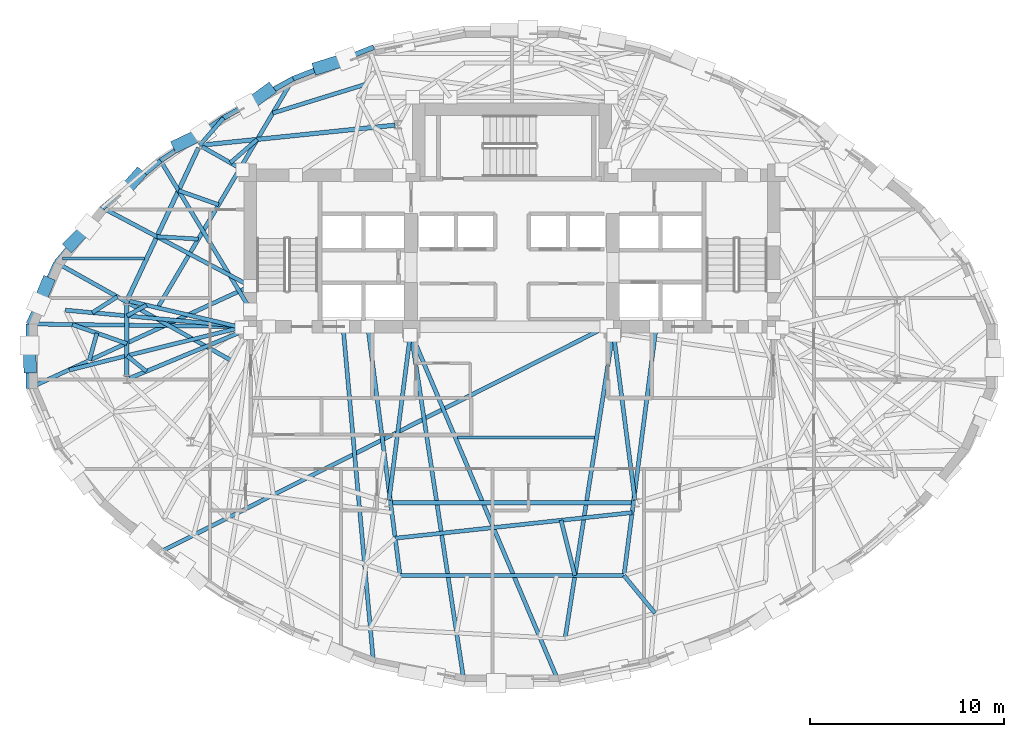
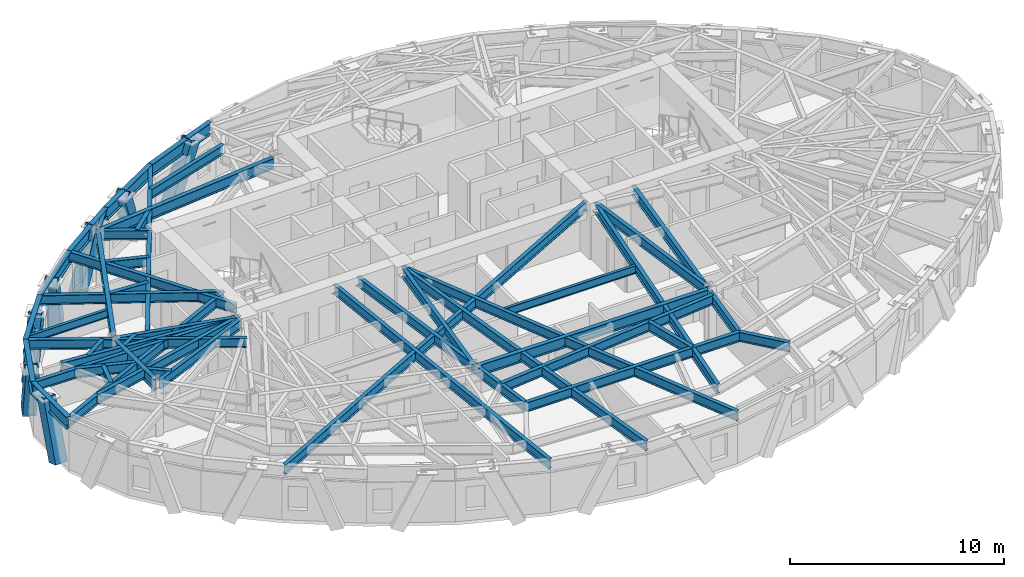
# One storey, part 2 of 14: 47 beams, 7 members.
"""IFC4 building model written with IfcOpenShell, lengths in metres."""

import ifcopenshell
import ifcopenshell.guid

model = None  # the IFC model being written
_history = None  # IfcOwnerHistory: only IFC2X3 demands one
_inside = {}  # id of a spatial element -> (the spatial element, [elements in it])
_under = {}  # id of a project, library or spatial element -> (it, [spatial elements below it])
_declared = {}  # id of a project -> (the project, [libraries it declares])
_typed = {}  # id of a type object -> (the type object, [elements of that type])
_made_of = {}  # id of a material, layer set ... -> (it, [elements and type objects made of it])


def new_model(schema):
    """Start an empty IFC model of exactly this schema.

    Asked for "IFC4X3", IfcOpenShell would pick the latest addendum, in which some entities
    have other attributes; the version numbers below select the first issue.
    IFC2X3 requires an IfcOwnerHistory on every rooted entity: one is made here for all.
    """
    global model, _history
    if schema == "IFC4X3":
        model = ifcopenshell.file(schema_version=(4, 3, 0, 0))
    else:
        model = ifcopenshell.file(schema=schema)
    _inside.clear()
    _under.clear()
    _declared.clear()
    _typed.clear()
    _made_of.clear()
    _history = None
    if model.schema == "IFC2X3":
        org = make("IfcOrganization", Name="unknown")
        user = make(
            "IfcPersonAndOrganization",
            ThePerson=make("IfcPerson", FamilyName="unknown"),
            TheOrganization=org,
        )
        app = make(
            "IfcApplication",
            ApplicationDeveloper=org,
            Version="unknown",
            ApplicationFullName="unknown",
            ApplicationIdentifier="unknown",
        )
        _history = make(
            "IfcOwnerHistory",
            OwningUser=user,
            OwningApplication=app,
            ChangeAction="ADDED",
            CreationDate=0,
        )
    return model


def make(cls, **values):
    """One entity of the class cls with the attributes given. An attribute that is None is left unset."""
    return model.create_entity(
        cls, **{name: value for name, value in values.items() if value is not None}
    )


def rooted(cls, **values):
    """An entity with a GlobalId (a new one), such as an element, a storey or a relation."""
    return make(cls, GlobalId=ifcopenshell.guid.new(), OwnerHistory=_history, **values)


def si_unit(unit_type, name, prefix=None):
    """IfcSIUnit, for example si_unit("LENGTHUNIT", "METRE", prefix="MILLI")."""
    return make("IfcSIUnit", UnitType=unit_type, Prefix=prefix, Name=name)


def assignment(units):
    """IfcUnitAssignment: the units of a project."""
    return None if units is None else make("IfcUnitAssignment", Units=units)


def point(xyz):
    """IfcCartesianPoint."""
    return None if xyz is None else make("IfcCartesianPoint", Coordinates=xyz)


def direction(xyz):
    """IfcDirection."""
    return None if xyz is None else make("IfcDirection", DirectionRatios=xyz)


def frame(location, z_axis=None, x_axis=None):
    """IfcAxis2Placement3D, a coordinate frame: its origin and axes. An axis left out is left unset."""
    return make(
        "IfcAxis2Placement3D",
        Location=point(location),
        Axis=direction(z_axis),
        RefDirection=direction(x_axis),
    )


def frame_2d(location, x_axis=None):
    """IfcAxis2Placement2D, a coordinate frame in the plane: its origin and x axis."""
    return make(
        "IfcAxis2Placement2D", Location=point(location), RefDirection=direction(x_axis)
    )


def origin():
    """The frame at (0, 0, 0) with its axes left unset."""
    return frame((0.0, 0.0, 0.0))


def origin_2d():
    """The frame at (0, 0) in the plane with its x axis left unset."""
    return frame_2d((0.0, 0.0))


def place(relative_to, where):
    """IfcLocalPlacement: puts the frame where relative to a parent placement (None: the world)."""
    return make(
        "IfcLocalPlacement", PlacementRelTo=relative_to, RelativePlacement=where
    )


def context(
    kind, dimensions, precision=None, world=None, true_north=None, identifier=None
):
    """IfcGeometricRepresentationContext, for example the 3D "Model" context."""
    return make(
        "IfcGeometricRepresentationContext",
        ContextIdentifier=identifier,
        ContextType=kind,
        CoordinateSpaceDimension=dimensions,
        Precision=precision,
        WorldCoordinateSystem=world,
        TrueNorth=true_north,
    )


def subcontext(parent, identifier, kind, view, scale=None):
    """IfcGeometricRepresentationSubContext, for example "Body" below "Model"."""
    return make(
        "IfcGeometricRepresentationSubContext",
        ContextIdentifier=identifier,
        ContextType=kind,
        ParentContext=parent,
        TargetScale=scale,
        TargetView=view,
    )


def project(units=None, contexts=None):
    """IfcProject with its units and contexts."""
    return rooted(
        "IfcProject",
        Name="project",
        RepresentationContexts=contexts,
        UnitsInContext=assignment(units),
    )


def spatial(cls, under=None, at=None, **own):
    """A site, building, storey or space (cls), placed at a placement, below another one or the project."""
    s = rooted(cls, ObjectPlacement=at, **own)
    if under is not None:
        _under.setdefault(under.id(), (under, []))[1].append(s)
    return s


def profile(cls, at=None, kind="AREA", **sizes):
    """A parametric profile (cls). Its sizes go by their IFC names, for example OverallWidth=200.0."""
    return make(cls, ProfileType=kind, Position=at, **sizes)


def hollow_rectangle(**sizes):
    """IfcRectangleHollowProfileDef."""
    return profile("IfcRectangleHollowProfileDef", **sizes)


def i_section(**sizes):
    """IfcIShapeProfileDef."""
    return profile("IfcIShapeProfileDef", **sizes)


def extrude(swept, where, along, depth):
    """IfcExtrudedAreaSolid: the profile swept, set in the frame where, extruded along a direction by depth."""
    return make(
        "IfcExtrudedAreaSolid",
        SweptArea=swept,
        Position=where,
        ExtrudedDirection=direction(along),
        Depth=depth,
    )


def shape(context_of_items, identifier, shape_type, items):
    """IfcShapeRepresentation: the items that make up one representation, for example the "Body"."""
    return make(
        "IfcShapeRepresentation",
        ContextOfItems=context_of_items,
        RepresentationIdentifier=identifier,
        RepresentationType=shape_type,
        Items=items,
    )


def material(Name=None, Category=None):
    """IfcMaterial."""
    return make("IfcMaterial", Name=Name, Category=Category)


def material_profile(
    of_material, cross_section, Name=None, Category=None, Priority=None
):
    """IfcMaterialProfile: a cross section and its material."""
    return make(
        "IfcMaterialProfile",
        Name=Name,
        Material=of_material,
        Profile=cross_section,
        Priority=Priority,
        Category=Category,
    )


def profile_set(profiles, Name=None, composite=None):
    """IfcMaterialProfileSet."""
    return make(
        "IfcMaterialProfileSet",
        Name=Name,
        MaterialProfiles=profiles,
        CompositeProfile=composite,
    )


def made_of(thing, what):
    """Note that an element or type object is made of a material, layer set ...; save() writes the relation."""
    if what is not None:
        _made_of.setdefault(what.id(), (what, []))[1].append(thing)
    return thing


def type_object(cls, material=None, **own):
    """A type object (cls), such as IfcWallType, which elements share."""
    return made_of(rooted(cls, **own), material)


def element(
    cls,
    number,
    at=None,
    inside=None,
    cuts=None,
    type_object=None,
    material=None,
    context=None,
    identifier="Body",
    shape_type=None,
    held_by="IfcProductDefinitionShape",
    body=None,
    shapes=None,
    **own,
):
    """One element of the class cls, such as IfcWall. Its Tag is "e" and its number.

    at: its placement. inside: the storey or other place that contains it. cuts: it is an
    opening in that element (IfcRelVoidsElement). A single representation is given by context,
    identifier, shape_type and body (its items); several are given by shapes. held_by: the class
    of the entity that holds the representations. save() writes the other relations.
    """
    e = rooted(cls, Tag="e%d" % number, ObjectPlacement=at, **own)
    if body is not None:
        shapes = [shape(context, identifier, shape_type, body)]
    if shapes is not None:
        e.Representation = make(held_by, Representations=shapes)
    if inside is not None:
        _inside.setdefault(inside.id(), (inside, []))[1].append(e)
    if cuts is not None:
        rooted(
            "IfcRelVoidsElement", RelatingBuildingElement=cuts, RelatedOpeningElement=e
        )
    if type_object is not None:
        _typed.setdefault(type_object.id(), (type_object, []))[1].append(e)
    return made_of(e, material)


def aggregate(whole, parts):
    """IfcRelAggregates: a whole, such as a stair, and the parts it consists of."""
    return rooted("IfcRelAggregates", RelatingObject=whole, RelatedObjects=parts)


def save(model, path):
    """Write the relations noted so far, then the file.

    IfcRelAggregates (storeys below a building ...), IfcRelContainedInSpatialStructure (elements
    in a storey), IfcRelDefinesByType, IfcRelAssociatesMaterial and IfcRelDeclares: one each for
    every whole, place, type object, material and project.
    """
    for whole, parts in _under.values():
        aggregate(whole, parts)
    for where, things in _inside.values():
        rooted(
            "IfcRelContainedInSpatialStructure",
            RelatedElements=things,
            RelatingStructure=where,
        )
    for kind, things in _typed.values():
        rooted("IfcRelDefinesByType", RelatedObjects=things, RelatingType=kind)
    for what, things in _made_of.values():
        rooted("IfcRelAssociatesMaterial", RelatedObjects=things, RelatingMaterial=what)
    for by, libraries in _declared.values():
        rooted("IfcRelDeclares", RelatingContext=by, RelatedDefinitions=libraries)
    model.write(path)


model = new_model("IFC4")

# Units and contexts
model_context = context("Model", 3, precision=1e-05, world=origin(), true_north=direction((0.0, 1.0)))
body_context = subcontext(model_context, "Body", "Model", "MODEL_VIEW")
ifc_project = project(units=[si_unit("LENGTHUNIT", "METRE"), si_unit("AREAUNIT", "SQUARE_METRE"), si_unit("VOLUMEUNIT", "CUBIC_METRE"), si_unit("PLANEANGLEUNIT", "RADIAN"), si_unit("MASSUNIT", "GRAM", prefix="KILO")], contexts=[model_context])

# Site, building, storey
site_placement = place(None, origin())
site = spatial("IfcSite", under=ifc_project, at=site_placement, CompositionType="ELEMENT")
building_placement = place(site_placement, origin())
building = spatial("IfcBuilding", under=site, at=building_placement, Name="Keldmark Tower", CompositionType="ELEMENT")
storey_placement = place(building_placement, frame((0.0, 0.0, 179.0)))
storey = spatial("IfcBuildingStorey", under=building, at=storey_placement, Name="L49", CompositionType="ELEMENT", Elevation=179.0)

# Beams
ifc_material_1 = material(Name="Steel ASTM A992 Grade 50", Category="steel")
ifc_material_profile_1 = material_profile(ifc_material_1, i_section(OverallWidth=0.153076171875, OverallDepth=0.455078125, WebThickness=0.008056640625, FlangeThickness=0.01318359375, at=origin_2d()), Name="W18X40")
ifc_profile_set_1 = profile_set([ifc_material_profile_1], Name="Steel ASTM A992 Grade 50")
beam_type_1 = type_object("IfcBeamType", Name="Composite Floor Joist W18X40", PredefinedType="JOIST", material=ifc_profile_set_1)
beam_1_placement = place(storey_placement, frame((-2.818359375, -4.179931640625, 2.79248046875), z_axis=(1.0, 0.0, 0.0), x_axis=(0.0, 1.0, 0.0)))
element("IfcBeam", 1, at=beam_1_placement, inside=storey, type_object=beam_type_1, Name="L49 Composite Floor Joist J02", PredefinedType="JOIST", context=body_context, shape_type="SweptSolid", body=[
    extrude(i_section(OverallWidth=0.153076171875, OverallDepth=0.455078125, WebThickness=0.008056640625, FlangeThickness=0.01318359375, at=origin_2d()), origin(), (0.0, 0.0, 1.0), 7.0771484375),
])
beam_2_placement = place(storey_placement, frame((-23.135498046875, 5.0400390625, 2.79248046875), z_axis=(1.0, 0.0, 0.0), x_axis=(0.0, 1.0, 0.0)))
element("IfcBeam", 2, at=beam_2_placement, inside=storey, type_object=beam_type_1, Name="L49 Composite Floor Joist J04", PredefinedType="JOIST", context=body_context, shape_type="SweptSolid", body=[
    extrude(i_section(OverallWidth=0.153076171875, OverallDepth=0.455078125, WebThickness=0.008056640625, FlangeThickness=0.01318359375, at=origin_2d()), origin(), (0.0, 0.0, 1.0), 4.207763671875),
])

# Members
ifc_material_2 = material(Name="Steel ASTM A572 Grade 50", Category="steel")
ifc_material_profile_2 = material_profile(ifc_material_2, hollow_rectangle(XDim=0.64990234375, YDim=0.64990234375, WallThickness=0.0400390625, at=origin_2d()), Name="BOX650X650X40")
ifc_profile_set_2 = profile_set([ifc_material_profile_2], Name="Steel ASTM A572 Grade 50")
member_type = type_object("IfcMemberType", Name="Diagrid Zone 3 Brace BOX650X650X40", PredefinedType="BRACE", material=ifc_profile_set_2)
member_1_placement = place(storey_placement, frame((-9.931884765625, 14.861328125, -0.260009765625), z_axis=(0.412550567657, 0.129644817023, 0.901661938059), x_axis=(-0.299797274009, 0.954002932122, 0.0)))
element("IfcMember", 3, at=member_1_placement, inside=storey, type_object=member_type, Name="L49 Perimeter Diagrid Brace 05B", PredefinedType="BRACE", context=body_context, shape_type="SweptSolid", body=[
    extrude(hollow_rectangle(XDim=0.64990234375, YDim=0.64990234375, WallThickness=0.0400390625, at=origin_2d()), origin(), (0.0, 0.0, 1.0), 3.504638671875),
])
member_2_placement = place(storey_placement, frame((-12.54931640625, 13.68408203125, -0.260009765625), z_axis=(-0.315004567601, -0.231008091119, 0.920547328619), x_axis=(0.591371556917, -0.806399207384, 0.0)))
element("IfcMember", 4, at=member_2_placement, inside=storey, type_object=member_type, Name="L49 Perimeter Diagrid Brace 06A", PredefinedType="BRACE", context=body_context, shape_type="SweptSolid", body=[
    extrude(hollow_rectangle(XDim=0.64990234375, YDim=0.64990234375, WallThickness=0.0400390625, at=origin_2d()), origin(), (0.0, 0.0, 1.0), 3.4326171875),
])
member_3_placement = place(storey_placement, frame((-17.175537109375, 10.881103515625, -0.260009765625), z_axis=(0.369048448136, 0.175922024856, 0.912608724536), x_axis=(-0.430301747603, 0.902685109, 0.0)))
element("IfcMember", 5, at=member_3_placement, inside=storey, type_object=member_type, Name="L49 Perimeter Diagrid Brace 06B", PredefinedType="BRACE", context=body_context, shape_type="SweptSolid", body=[
    extrude(hollow_rectangle(XDim=0.64990234375, YDim=0.64990234375, WallThickness=0.0400390625, at=origin_2d()), origin(), (0.0, 0.0, 1.0), 3.46240234375),
])
member_4_placement = place(storey_placement, frame((-19.2392578125, 9.31787109375, -0.260009765625), z_axis=(-0.237081549411, -0.267889164017, 0.933824252593), x_axis=(0.748854110819, -0.662734879653, 0.0)))
element("IfcMember", 6, at=member_4_placement, inside=storey, type_object=member_type, Name="L49 Perimeter Diagrid Brace 07A", PredefinedType="BRACE", context=body_context, shape_type="SweptSolid", body=[
    extrude(hollow_rectangle(XDim=0.64990234375, YDim=0.64990234375, WallThickness=0.0400390625, at=origin_2d()), origin(), (0.0, 0.0, 1.0), 3.3837890625),
])
member_5_placement = place(storey_placement, frame((-22.719482421875, 5.76416015625, -0.260009765625), z_axis=(0.262104170106, 0.266904875245, 0.927395919542), x_axis=(-0.713494326894, 0.700661006115, 0.0)))
element("IfcMember", 7, at=member_5_placement, inside=storey, type_object=member_type, Name="L49 Perimeter Diagrid Brace 07B", PredefinedType="BRACE", context=body_context, shape_type="SweptSolid", body=[
    extrude(hollow_rectangle(XDim=0.64990234375, YDim=0.64990234375, WallThickness=0.0400390625, at=origin_2d()), origin(), (0.0, 0.0, 1.0), 3.4072265625),
])
member_6_placement = place(storey_placement, frame((-23.92724609375, 3.76318359375, -0.260009765625), z_axis=(-0.130967976661, -0.316094551209, 0.939644413481), x_axis=(0.923840957507, -0.382776547391, 0.0)))
element("IfcMember", 8, at=member_6_placement, inside=storey, type_object=member_type, Name="L49 Perimeter Diagrid Brace 08A", PredefinedType="BRACE", context=body_context, shape_type="SweptSolid", body=[
    extrude(hollow_rectangle(XDim=0.64990234375, YDim=0.64990234375, WallThickness=0.0400390625, at=origin_2d()), origin(), (0.0, 0.0, 1.0), 3.36279296875),
])
member_7_placement = place(storey_placement, frame((-24.818359375, -0.5595703125, -0.260009765625), z_axis=(-0.006707592929, 0.330859312067, 0.943656252994), x_axis=(-0.99979456103, -0.020269083212, 0.0)))
element("IfcMember", 9, at=member_7_placement, inside=storey, type_object=member_type, Name="L49 Perimeter Diagrid Brace 08B", PredefinedType="BRACE", context=body_context, shape_type="SweptSolid", body=[
    extrude(hollow_rectangle(XDim=0.64990234375, YDim=0.64990234375, WallThickness=0.0400390625, at=origin_2d()), origin(), (0.0, 0.0, 1.0), 3.3486328125),
])

# Beams
ifc_material_3 = material(Name="Steel ASTM A992 Grade 50", Category="steel")
ifc_material_profile_3 = material_profile(ifc_material_3, i_section(OverallWidth=0.22900390625, OverallDepth=0.612060546875, WebThickness=0.011962890625, FlangeThickness=0.01953125, at=origin_2d()), Name="W24X84")
ifc_profile_set_3 = profile_set([ifc_material_profile_3], Name="Steel ASTM A992 Grade 50")
beam_type_2 = type_object("IfcBeamType", Name="Primary Floor Girder W24X84", PredefinedType="BEAM", material=ifc_profile_set_3)
beam_3_placement = place(storey_placement, frame((-6.01953125, 11.90087890625, 2.714111328125), z_axis=(-0.994702930931, -0.102791435423, 0.0), x_axis=(0.102791435423, -0.994702930931, 0.0)))
element("IfcBeam", 10, at=beam_3_placement, inside=storey, type_object=beam_type_2, Name="L49 Floor Ring Girder FG-R04", PredefinedType="BEAM", context=body_context, shape_type="SweptSolid", body=[
    extrude(i_section(OverallWidth=0.22900390625, OverallDepth=0.612060546875, WebThickness=0.011962890625, FlangeThickness=0.01953125, at=origin_2d()), origin(), (0.0, 0.0, 1.0), 9.975341796875),
])
beam_4_placement = place(storey_placement, frame((-16.140869140625, 10.734130859375, 2.714111328125), z_axis=(-0.424526823774, -0.905415360979, 0.0), x_axis=(0.905415360979, -0.424526823774, 0.0)))
element("IfcBeam", 11, at=beam_4_placement, inside=storey, type_object=beam_type_2, Name="L49 Floor Ring Girder FG-R05", PredefinedType="BEAM", context=body_context, shape_type="SweptSolid", body=[
    extrude(i_section(OverallWidth=0.22900390625, OverallDepth=0.612060546875, WebThickness=0.011962890625, FlangeThickness=0.01953125, at=origin_2d()), origin(), (0.0, 0.0, 1.0), 8.54638671875),
])
beam_5_placement = place(storey_placement, frame((-19.828369140625, 2.729248046875, 2.714111328125), z_axis=(0.0, -1.0, 0.0), x_axis=(1.0, 0.0, 0.0)))
element("IfcBeam", 12, at=beam_5_placement, inside=storey, type_object=beam_type_2, Name="L49 Floor Ring Girder FG-R06", PredefinedType="BEAM", context=body_context, shape_type="SweptSolid", body=[
    extrude(i_section(OverallWidth=0.22900390625, OverallDepth=0.612060546875, WebThickness=0.011962890625, FlangeThickness=0.01953125, at=origin_2d()), origin(), (0.0, 0.0, 1.0), 3.778564453125),
])
beam_6_placement = place(storey_placement, frame((-6.211181640625, -7.546142578125, 2.714111328125), z_axis=(1.0, 0.0, 0.0), x_axis=(0.0, 1.0, 0.0)))
element("IfcBeam", 13, at=beam_6_placement, inside=storey, type_object=beam_type_2, Name="L49 Floor Ring Girder FG-R09", PredefinedType="BEAM", context=body_context, shape_type="SweptSolid", body=[
    extrude(i_section(OverallWidth=0.22900390625, OverallDepth=0.612060546875, WebThickness=0.011962890625, FlangeThickness=0.01953125, at=origin_2d()), origin(), (0.0, 0.0, 1.0), 12.42236328125),
])
ifc_material_4 = material(Name="Steel ASTM A992 Grade 50", Category="steel")
ifc_material_profile_4 = material_profile(ifc_material_4, i_section(OverallWidth=0.2099609375, OverallDepth=0.537109375, WebThickness=0.010986328125, FlangeThickness=0.017333984375, at=origin_2d()), Name="W21X68")
ifc_profile_set_4 = profile_set([ifc_material_profile_4], Name="Steel ASTM A992 Grade 50")
beam_type_3 = type_object("IfcBeamType", Name="Radial Tie Girder W21X68", PredefinedType="BEAM", material=ifc_profile_set_4)
beam_7_placement = place(storey_placement, frame((-15.959716796875, 10.791748046875, 2.75146484375), z_axis=(0.86929527307, -0.494293160197, 0.0), x_axis=(0.494293160197, 0.86929527307, 0.0)))
element("IfcBeam", 14, at=beam_7_placement, inside=storey, type_object=beam_type_3, Name="L49 Floor Radial Girder FG-C05", PredefinedType="BEAM", context=body_context, shape_type="SweptSolid", body=[
    extrude(i_section(OverallWidth=0.2099609375, OverallDepth=0.537109375, WebThickness=0.010986328125, FlangeThickness=0.017333984375, at=origin_2d()), origin(), (0.0, 0.0, 1.0), 2.39453125),
])
beam_8_placement = place(storey_placement, frame((-19.692138671875, 2.837158203125, 2.75146484375), z_axis=(0.973280062348, -0.229621253887, 0.0), x_axis=(0.229621253887, 0.973280062348, 0.0)))
element("IfcBeam", 15, at=beam_8_placement, inside=storey, type_object=beam_type_3, Name="L49 Floor Radial Girder FG-C06", PredefinedType="BEAM", context=body_context, shape_type="SweptSolid", body=[
    extrude(i_section(OverallWidth=0.2099609375, OverallDepth=0.537109375, WebThickness=0.010986328125, FlangeThickness=0.017333984375, at=origin_2d()), origin(), (0.0, 0.0, 1.0), 5.939208984375),
])
beam_9_placement = place(storey_placement, frame((-19.69921875, -1.135498046875, 2.75146484375), z_axis=(0.923393794893, 0.383854008124, 0.0), x_axis=(-0.383854008124, 0.923393794893, 0.0)))
element("IfcBeam", 16, at=beam_9_placement, inside=storey, type_object=beam_type_3, Name="L49 Floor Radial Girder FG-C07", PredefinedType="BEAM", context=body_context, shape_type="SweptSolid", body=[
    extrude(i_section(OverallWidth=0.2099609375, OverallDepth=0.537109375, WebThickness=0.010986328125, FlangeThickness=0.017333984375, at=origin_2d()), origin(), (0.0, 0.0, 1.0), 6.28515625),
])
for number, where, z_axis, x_axis, name in (
    (17, (-6.333251953125, -7.4072265625, 2.75146484375), (0.127635577416, 0.991821132754, 0.0), (-0.991821132754, 0.127635577416, 0.0), "L49 Floor Radial Girder FG-C09"),
    (18, (6.333251953125, -7.4072265625, 2.75146484375), (-0.127635577416, 0.991821132754, 0.0), (-0.991821132754, -0.127635577416, 0.0), "L49 Floor Radial Girder FG-C10"),
):
    element("IfcBeam", number, at=place(storey_placement, frame(where, z_axis=z_axis, x_axis=x_axis)), inside=storey, type_object=beam_type_3, Name=name, PredefinedType="BEAM", context=body_context, shape_type="SweptSolid", body=[
        extrude(i_section(OverallWidth=0.2099609375, OverallDepth=0.537109375, WebThickness=0.010986328125, FlangeThickness=0.017333984375, at=origin_2d()), origin(), (0.0, 0.0, 1.0), 8.559814453125),
    ])
beam_10_placement = place(storey_placement, frame((-18.82861328125, -0.773681640625, 2.75146484375), z_axis=(-0.779938866508, 0.625855705823, 0.0), x_axis=(-0.625855705823, -0.779938866508, 0.0)))
element("IfcBeam", 19, at=beam_10_placement, inside=storey, type_object=beam_type_3, Name="L49 Framing Pin Header PH-003", PredefinedType="BEAM", context=body_context, shape_type="SweptSolid", body=[
    extrude(i_section(OverallWidth=0.2099609375, OverallDepth=0.537109375, WebThickness=0.010986328125, FlangeThickness=0.017333984375, at=origin_2d()), origin(), (0.0, 0.0, 1.0), 1.28173828125),
])
beam_11_placement = place(storey_placement, frame((-13.800048828125, 1.52490234375, 2.75146484375), z_axis=(-0.970545350006, -0.240918499875, 0.0), x_axis=(0.240918499875, -0.970545350006, 0.0)))
element("IfcBeam", 20, at=beam_11_placement, inside=storey, type_object=beam_type_3, Name="L49 Sub-Ring Step Girder STP1-M07", PredefinedType="BEAM", context=body_context, shape_type="SweptSolid", body=[
    extrude(i_section(OverallWidth=0.2099609375, OverallDepth=0.537109375, WebThickness=0.010986328125, FlangeThickness=0.017333984375, at=origin_2d()), origin(), (0.0, 0.0, 1.0), 9.2734375),
])
beam_12_placement = place(storey_placement, frame((-7.425048828125, 1.52490234375, 2.75146484375), z_axis=(0.128390273284, -0.991723720461, 0.0), x_axis=(0.991723720461, 0.128390273284, 0.0)))
element("IfcBeam", 21, at=beam_12_placement, inside=storey, type_object=beam_type_3, Name="L49 Sub-Ring Step Girder STP1-M09", PredefinedType="BEAM", context=body_context, shape_type="SweptSolid", body=[
    extrude(i_section(OverallWidth=0.2099609375, OverallDepth=0.537109375, WebThickness=0.010986328125, FlangeThickness=0.017333984375, at=origin_2d()), origin(), (0.0, 0.0, 1.0), 12.9248046875),
])
beam_13_placement = place(storey_placement, frame((-6.014404296875, -9.3701171875, 2.75146484375), z_axis=(0.994209518158, 0.107458987544, 0.0), x_axis=(-0.107458987544, 0.994209518158, 0.0)))
element("IfcBeam", 22, at=beam_13_placement, inside=storey, type_object=beam_type_3, Name="L49 Framing Pin Header PH-006", PredefinedType="BEAM", context=body_context, shape_type="SweptSolid", body=[
    extrude(i_section(OverallWidth=0.2099609375, OverallDepth=0.537109375, WebThickness=0.010986328125, FlangeThickness=0.017333984375, at=origin_2d()), origin(), (0.0, 0.0, 1.0), 12.270751953125),
])
beam_14_placement = place(storey_placement, frame((7.425048828125, 1.52490234375, 2.75146484375), z_axis=(-0.128390273284, -0.991723720461, 0.0), x_axis=(0.991723720461, -0.128390273284, 0.0)))
element("IfcBeam", 23, at=beam_14_placement, inside=storey, type_object=beam_type_3, Name="L49 Sub-Ring Step Girder STP1-M10", PredefinedType="BEAM", context=body_context, shape_type="SweptSolid", body=[
    extrude(i_section(OverallWidth=0.2099609375, OverallDepth=0.537109375, WebThickness=0.010986328125, FlangeThickness=0.017333984375, at=origin_2d()), origin(), (0.0, 0.0, 1.0), 12.9248046875),
])
beam_15_placement = place(storey_placement, frame((-5.765625, -11.29296875, 2.75146484375), z_axis=(1.0, 0.0, 0.0), x_axis=(0.0, 1.0, 0.0)))
element("IfcBeam", 24, at=beam_15_placement, inside=storey, type_object=beam_type_3, Name="L49 Perimeter Collector Ring Beam CRG1-M09", PredefinedType="BEAM", context=body_context, shape_type="SweptSolid", body=[
    extrude(i_section(OverallWidth=0.2099609375, OverallDepth=0.537109375, WebThickness=0.010986328125, FlangeThickness=0.017333984375, at=origin_2d()), origin(), (0.0, 0.0, 1.0), 11.53125),
])
beam_16_placement = place(storey_placement, frame((-18.824951171875, 2.632568359375, 2.75146484375), z_axis=(-0.876530915614, -0.481345566068, 0.0), x_axis=(0.481345566068, -0.876530915614, 0.0)))
element("IfcBeam", 25, at=beam_16_placement, inside=storey, type_object=beam_type_3, Name="L49 Framing Pin Header PH-009", PredefinedType="BEAM", context=body_context, shape_type="SweptSolid", body=[
    extrude(i_section(OverallWidth=0.2099609375, OverallDepth=0.537109375, WebThickness=0.010986328125, FlangeThickness=0.017333984375, at=origin_2d()), origin(), (0.0, 0.0, 1.0), 1.144775390625),
])
beam_17_placement = place(storey_placement, frame((-13.800048828125, 1.52490234375, 2.75146484375), z_axis=(-0.995765598676, 0.091928627172, 0.0), x_axis=(-0.091928627172, -0.995765598676, 0.0)))
element("IfcBeam", 26, at=beam_17_placement, inside=storey, type_object=beam_type_3, Name="L49 Sub-Ring Step Girder STP2-M07", PredefinedType="BEAM", context=body_context, shape_type="SweptSolid", body=[
    extrude(i_section(OverallWidth=0.2099609375, OverallDepth=0.537109375, WebThickness=0.010986328125, FlangeThickness=0.017333984375, at=origin_2d()), origin(), (0.0, 0.0, 1.0), 9.228759765625),
])
beam_18_placement = place(storey_placement, frame((2.525390625, -8.447265625, 2.75146484375), z_axis=(0.243710118958, -0.969848121057, 0.0), x_axis=(0.969848121057, 0.243710118958, 0.0)))
element("IfcBeam", 27, at=beam_18_placement, inside=storey, type_object=beam_type_3, Name="L49 Framing Pin Header PH-012", PredefinedType="BEAM", context=body_context, shape_type="SweptSolid", body=[
    extrude(i_section(OverallWidth=0.2099609375, OverallDepth=0.537109375, WebThickness=0.010986328125, FlangeThickness=0.017333984375, at=origin_2d()), origin(), (0.0, 0.0, 1.0), 2.93408203125),
])
beam_19_placement = place(storey_placement, frame((5.199951171875, 1.199951171875, 2.75146484375), z_axis=(-0.154953109289, -0.987921825815, 0.0), x_axis=(0.987921825815, -0.154953109289, 0.0)))
element("IfcBeam", 28, at=beam_19_placement, inside=storey, type_object=beam_type_3, Name="L49 Sub-Ring Step Girder STP2-M10", PredefinedType="BEAM", context=body_context, shape_type="SweptSolid", body=[
    extrude(i_section(OverallWidth=0.2099609375, OverallDepth=0.537109375, WebThickness=0.010986328125, FlangeThickness=0.017333984375, at=origin_2d()), origin(), (0.0, 0.0, 1.0), 15.935302734375),
])
beam_20_placement = place(storey_placement, frame((-14.502685546875, 9.96337890625, 2.75146484375), z_axis=(0.754788746881, 0.655967947069, 0.0), x_axis=(-0.655967947069, 0.754788746881, 0.0)))
element("IfcBeam", 29, at=beam_20_placement, inside=storey, type_object=beam_type_3, Name="L49 Framing Pin Header PH-022", PredefinedType="BEAM", context=body_context, shape_type="SweptSolid", body=[
    extrude(i_section(OverallWidth=0.2099609375, OverallDepth=0.537109375, WebThickness=0.010986328125, FlangeThickness=0.017333984375, at=origin_2d()), origin(), (0.0, 0.0, 1.0), 1.835693359375),
])
beam_21_placement = place(storey_placement, frame((-18.246826171875, 2.49609375, 2.75146484375), z_axis=(0.509160152422, 0.860671795277, 0.0), x_axis=(-0.860671795277, 0.509160152422, 0.0)))
element("IfcBeam", 30, at=beam_21_placement, inside=storey, type_object=beam_type_3, Name="L49 Perimeter Radial Tie Girder RT-11", PredefinedType="BEAM", context=body_context, shape_type="SweptSolid", body=[
    extrude(i_section(OverallWidth=0.2099609375, OverallDepth=0.537109375, WebThickness=0.010986328125, FlangeThickness=0.017333984375, at=origin_2d()), origin(), (0.0, 0.0, 1.0), 13.70556640625),
])
beam_22_placement = place(storey_placement, frame((-16.08154296875, 10.861083984375, 2.75146484375), z_axis=(0.656902958664, 0.753975134138, 0.0), x_axis=(-0.753975134138, 0.656902958664, 0.0)))
element("IfcBeam", 31, at=beam_22_placement, inside=storey, type_object=beam_type_3, Name="L49 Perimeter Column Bracket RT-12", PredefinedType="BEAM", context=body_context, shape_type="SweptSolid", body=[
    extrude(i_section(OverallWidth=0.2099609375, OverallDepth=0.537109375, WebThickness=0.010986328125, FlangeThickness=0.017333984375, at=origin_2d()), origin(), (0.0, 0.0, 1.0), 1.86865234375),
])
beam_23_placement = place(storey_placement, frame((-15.106689453125, 7.80419921875, 2.75146484375), z_axis=(-0.942940950083, 0.332960004591, 0.0), x_axis=(-0.332960004591, -0.942940950083, 0.0)))
element("IfcBeam", 32, at=beam_23_placement, inside=storey, type_object=beam_type_3, Name="L49 Framing Pin Header PH-023", PredefinedType="BEAM", context=body_context, shape_type="SweptSolid", body=[
    extrude(i_section(OverallWidth=0.2099609375, OverallDepth=0.537109375, WebThickness=0.010986328125, FlangeThickness=0.017333984375, at=origin_2d()), origin(), (0.0, 0.0, 1.0), 2.19091796875),
])
beam_24_placement = place(storey_placement, frame((-13.47509765625, 2.406982421875, 2.75146484375), z_axis=(-0.516708408256, 0.856161445545, 0.0), x_axis=(-0.856161445545, -0.516708408256, 0.0)))
element("IfcBeam", 33, at=beam_24_placement, inside=storey, type_object=beam_type_3, Name="L49 Perimeter Radial Tie Girder RT-13", PredefinedType="BEAM", context=body_context, shape_type="SweptSolid", body=[
    extrude(i_section(OverallWidth=0.2099609375, OverallDepth=0.537109375, WebThickness=0.010986328125, FlangeThickness=0.017333984375, at=origin_2d()), origin(), (0.0, 0.0, 1.0), 8.949951171875),
])
beam_25_placement = place(storey_placement, frame((-16.1533203125, 6.034912109375, 2.75146484375), z_axis=(-0.998292847924, 0.05840710388, 0.0), x_axis=(-0.05840710388, -0.998292847924, 0.0)))
element("IfcBeam", 34, at=beam_25_placement, inside=storey, type_object=beam_type_3, Name="L49 Framing Pin Header PH-024", PredefinedType="BEAM", context=body_context, shape_type="SweptSolid", body=[
    extrude(i_section(OverallWidth=0.2099609375, OverallDepth=0.537109375, WebThickness=0.010986328125, FlangeThickness=0.017333984375, at=origin_2d()), origin(), (0.0, 0.0, 1.0), 2.135986328125),
])
beam_26_placement = place(storey_placement, frame((-13.47509765625, 3.6142578125, 2.75146484375), z_axis=(-0.88389829795, 0.467679162334, 0.0), x_axis=(-0.467679162334, -0.88389829795, 0.0)))
element("IfcBeam", 35, at=beam_26_placement, inside=storey, type_object=beam_type_3, Name="L49 Perimeter Radial Tie Girder RT-14", PredefinedType="BEAM", context=body_context, shape_type="SweptSolid", body=[
    extrude(i_section(OverallWidth=0.2099609375, OverallDepth=0.537109375, WebThickness=0.010986328125, FlangeThickness=0.017333984375, at=origin_2d()), origin(), (0.0, 0.0, 1.0), 8.606201171875),
])
beam_27_placement = place(storey_placement, frame((-21.611083984375, 2.24609375, 2.75146484375), z_axis=(0.843113762531, 0.537735235438, 0.0), x_axis=(-0.537735235438, 0.843113762531, 0.0)))
element("IfcBeam", 36, at=beam_27_placement, inside=storey, type_object=beam_type_3, Name="L49 Framing Pin Header PH-025", PredefinedType="BEAM", context=body_context, shape_type="SweptSolid", body=[
    extrude(i_section(OverallWidth=0.2099609375, OverallDepth=0.537109375, WebThickness=0.010986328125, FlangeThickness=0.017333984375, at=origin_2d()), origin(), (0.0, 0.0, 1.0), 1.524658203125),
])
beam_28_placement = place(storey_placement, frame((-14.4296875, -0.232421875, 2.75146484375), z_axis=(-0.872720040719, 0.48822098534, 0.0), x_axis=(-0.48822098534, -0.872720040719, 0.0)))
element("IfcBeam", 37, at=beam_28_placement, inside=storey, type_object=beam_type_3, Name="L49 Perimeter Radial Tie Girder RT-15", PredefinedType="BEAM", context=body_context, shape_type="SweptSolid", body=[
    extrude(i_section(OverallWidth=0.2099609375, OverallDepth=0.537109375, WebThickness=0.010986328125, FlangeThickness=0.017333984375, at=origin_2d()), origin(), (0.0, 0.0, 1.0), 10.36376953125),
])
beam_29_placement = place(storey_placement, frame((-19.828369140625, 0.651123046875, 2.75146484375), z_axis=(-0.943933720417, 0.330135020043, 0.0), x_axis=(-0.330135020043, -0.943933720417, 0.0)))
element("IfcBeam", 38, at=beam_29_placement, inside=storey, type_object=beam_type_3, Name="L49 Framing Pin Header PH-026", PredefinedType="BEAM", context=body_context, shape_type="SweptSolid", body=[
    extrude(i_section(OverallWidth=0.2099609375, OverallDepth=0.537109375, WebThickness=0.010986328125, FlangeThickness=0.017333984375, at=origin_2d()), origin(), (0.0, 0.0, 1.0), 2.978759765625),
])
beam_30_placement = place(storey_placement, frame((-13.800048828125, 1.52490234375, 2.75146484375), z_axis=(-0.999923071813, 0.012403646876, 0.0), x_axis=(-0.012403646876, -0.999923071813, 0.0)))
element("IfcBeam", 39, at=beam_30_placement, inside=storey, type_object=beam_type_3, Name="L49 Perimeter Radial Tie Girder RT-16", PredefinedType="BEAM", context=body_context, shape_type="SweptSolid", body=[
    extrude(i_section(OverallWidth=0.2099609375, OverallDepth=0.537109375, WebThickness=0.010986328125, FlangeThickness=0.017333984375, at=origin_2d()), origin(), (0.0, 0.0, 1.0), 11.10107421875),
])
beam_31_placement = place(storey_placement, frame((-21.375, 1.19189453125, 2.75146484375), z_axis=(-0.267290144087, -0.963616095172, 0.0), x_axis=(0.963616095172, -0.267290144087, 0.0)))
element("IfcBeam", 40, at=beam_31_placement, inside=storey, type_object=beam_type_3, Name="L49 Framing Pin Header PH-027", PredefinedType="BEAM", context=body_context, shape_type="SweptSolid", body=[
    extrude(i_section(OverallWidth=0.2099609375, OverallDepth=0.537109375, WebThickness=0.010986328125, FlangeThickness=0.017333984375, at=origin_2d()), origin(), (0.0, 0.0, 1.0), 1.459716796875),
])
beam_32_placement = place(storey_placement, frame((-13.47509765625, 3.6142578125, 2.75146484375), z_axis=(-0.90784920287, -0.419296821891, 0.0), x_axis=(0.419296821891, -0.90784920287, 0.0)))
element("IfcBeam", 41, at=beam_32_placement, inside=storey, type_object=beam_type_3, Name="L49 Perimeter Radial Tie Girder RT-17", PredefinedType="BEAM", context=body_context, shape_type="SweptSolid", body=[
    extrude(i_section(OverallWidth=0.2099609375, OverallDepth=0.537109375, WebThickness=0.010986328125, FlangeThickness=0.017333984375, at=origin_2d()), origin(), (0.0, 0.0, 1.0), 12.5849609375),
])
beam_33_placement = place(storey_placement, frame((4.875, 1.52490234375, 2.75146484375), z_axis=(-0.892755086039, -0.450542291413, 0.0), x_axis=(0.450542291413, -0.892755086039, 0.0)))
element("IfcBeam", 42, at=beam_33_placement, inside=storey, type_object=beam_type_3, Name="L49 Perimeter Radial Tie Girder RT-20", PredefinedType="BEAM", context=body_context, shape_type="SweptSolid", body=[
    extrude(i_section(OverallWidth=0.2099609375, OverallDepth=0.537109375, WebThickness=0.010986328125, FlangeThickness=0.017333984375, at=origin_2d()), origin(), (0.0, 0.0, 1.0), 25.734619140625),
])
beam_34_placement = place(storey_placement, frame((-8.699951171875, 1.52490234375, 2.75146484375), z_axis=(0.090182482879, -0.99592525813, 0.0), x_axis=(0.99592525813, 0.090182482879, 0.0)))
element("IfcBeam", 43, at=beam_34_placement, inside=storey, type_object=beam_type_3, Name="L49 Perimeter Radial Tie Girder RT-23", PredefinedType="BEAM", context=body_context, shape_type="SweptSolid", body=[
    extrude(i_section(OverallWidth=0.2099609375, OverallDepth=0.537109375, WebThickness=0.010986328125, FlangeThickness=0.017333984375, at=origin_2d()), origin(), (0.0, 0.0, 1.0), 17.510009765625),
])
beam_35_placement = place(storey_placement, frame((-5.199951171875, 1.199951171875, 2.75146484375), z_axis=(0.150237204247, -0.98864997975, 0.0), x_axis=(0.98864997975, 0.150237204247, 0.0)))
element("IfcBeam", 44, at=beam_35_placement, inside=storey, type_object=beam_type_3, Name="L49 Perimeter Radial Tie Girder RT-24", PredefinedType="BEAM", context=body_context, shape_type="SweptSolid", body=[
    extrude(i_section(OverallWidth=0.2099609375, OverallDepth=0.537109375, WebThickness=0.010986328125, FlangeThickness=0.017333984375, at=origin_2d()), origin(), (0.0, 0.0, 1.0), 18.2880859375),
])
beam_36_placement = place(storey_placement, frame((-5.199951171875, 1.199951171875, 2.75146484375), z_axis=(0.389764119337, -0.920914725302, 0.0), x_axis=(0.920914725302, 0.389764119337, 0.0)))
element("IfcBeam", 45, at=beam_36_placement, inside=storey, type_object=beam_type_3, Name="L49 Perimeter Radial Tie Girder RT-25", PredefinedType="BEAM", context=body_context, shape_type="SweptSolid", body=[
    extrude(i_section(OverallWidth=0.2099609375, OverallDepth=0.537109375, WebThickness=0.010986328125, FlangeThickness=0.017333984375, at=origin_2d()), origin(), (0.0, 0.0, 1.0), 19.63330078125),
])
beam_37_placement = place(storey_placement, frame((5.765625, -11.29296875, 2.75146484375), z_axis=(0.636265831305, -0.771469890478, 0.0), x_axis=(0.771469890478, 0.636265831305, 0.0)))
element("IfcBeam", 46, at=beam_37_placement, inside=storey, type_object=beam_type_3, Name="L49 Framing Pin Header PH-036", PredefinedType="BEAM", context=body_context, shape_type="SweptSolid", body=[
    extrude(i_section(OverallWidth=0.2099609375, OverallDepth=0.537109375, WebThickness=0.010986328125, FlangeThickness=0.017333984375, at=origin_2d()), origin(), (0.0, 0.0, 1.0), 2.51171875),
])
beam_38_placement = place(storey_placement, frame((-12.315185546875, 12.5224609375, 2.75146484375), z_axis=(0.955072189717, 0.296373265376, 0.0), x_axis=(-0.296373265376, 0.955072189717, 0.0)))
element("IfcBeam", 47, at=beam_38_placement, inside=storey, type_object=beam_type_3, Name="L49 Framing Pin Header PH-046", PredefinedType="BEAM", context=body_context, shape_type="SweptSolid", body=[
    extrude(i_section(OverallWidth=0.2099609375, OverallDepth=0.537109375, WebThickness=0.010986328125, FlangeThickness=0.017333984375, at=origin_2d()), origin(), (0.0, 0.0, 1.0), 5.03076171875),
])
ifc_material_5 = material(Name="Steel ASTM A992 Grade 50", Category="steel")
ifc_material_profile_5 = material_profile(ifc_material_5, i_section(OverallWidth=0.256103515625, OverallDepth=0.693115234375, WebThickness=0.014404296875, FlangeThickness=0.023681640625, at=origin_2d()), Name="W27X114")
ifc_profile_set_5 = profile_set([ifc_material_profile_5], Name="Steel ASTM A992 Grade 50")
beam_type_4 = type_object("IfcBeamType", Name="Spandrel Ring Beam W27X114", PredefinedType="SPANDREL", material=ifc_profile_set_5)
beam_39_placement = place(storey_placement, frame((-7.120849609375, 15.913818359375, 2.673583984375), z_axis=(-0.93133333838, -0.364167836062, 0.0), x_axis=(0.364167836062, -0.93133333838, 0.0)))
element("IfcBeam", 48, at=beam_39_placement, inside=storey, type_object=beam_type_4, Name="L49 Perimeter Spandrel Ring Beam SRB-10", PredefinedType="SPANDREL", context=body_context, shape_type="SweptSolid", body=[
    extrude(i_section(OverallWidth=0.256103515625, OverallDepth=0.693115234375, WebThickness=0.014404296875, FlangeThickness=0.023681640625, at=origin_2d()), origin(), (0.0, 0.0, 1.0), 4.45361328125),
])
beam_40_placement = place(storey_placement, frame((-11.2685546875, 14.2919921875, 2.673583984375), z_axis=(-0.871039635509, -0.491212737388, 0.0), x_axis=(0.491212737388, -0.871039635509, 0.0)))
element("IfcBeam", 49, at=beam_40_placement, inside=storey, type_object=beam_type_4, Name="L49 Perimeter Spandrel Ring Beam SRB-11", PredefinedType="SPANDREL", context=body_context, shape_type="SweptSolid", body=[
    extrude(i_section(OverallWidth=0.256103515625, OverallDepth=0.693115234375, WebThickness=0.014404296875, FlangeThickness=0.023681640625, at=origin_2d()), origin(), (0.0, 0.0, 1.0), 4.1162109375),
])
beam_41_placement = place(storey_placement, frame((-14.85400390625, 12.27001953125, 2.673583984375), z_axis=(-0.827705067126, -0.561163364676, 0.0), x_axis=(0.561163364676, -0.827705067126, 0.0)))
element("IfcBeam", 50, at=beam_41_placement, inside=storey, type_object=beam_type_4, Name="L49 Perimeter Spandrel Ring Beam SRB-12", PredefinedType="SPANDREL", context=body_context, shape_type="SweptSolid", body=[
    extrude(i_section(OverallWidth=0.256103515625, OverallDepth=0.693115234375, WebThickness=0.014404296875, FlangeThickness=0.023681640625, at=origin_2d()), origin(), (0.0, 0.0, 1.0), 3.921142578125),
])
beam_42_placement = place(storey_placement, frame((-18.099609375, 10.069580078125, 2.673583984375), z_axis=(-0.775197003773, -0.631719562259, 0.0), x_axis=(0.631719562259, -0.775197003773, 0.0)))
element("IfcBeam", 51, at=beam_42_placement, inside=storey, type_object=beam_type_4, Name="L49 Perimeter Spandrel Ring Beam SRB-13", PredefinedType="SPANDREL", context=body_context, shape_type="SweptSolid", body=[
    extrude(i_section(OverallWidth=0.256103515625, OverallDepth=0.693115234375, WebThickness=0.014404296875, FlangeThickness=0.023681640625, at=origin_2d()), origin(), (0.0, 0.0, 1.0), 3.847412109375),
])
beam_43_placement = place(storey_placement, frame((-21.08203125, 7.63916015625, 2.673583984375), z_axis=(-0.648014991522, -0.761627580096, 0.0), x_axis=(0.761627580096, -0.648014991522, 0.0)))
element("IfcBeam", 52, at=beam_43_placement, inside=storey, type_object=beam_type_4, Name="L49 Perimeter Spandrel Ring Beam SRB-14", PredefinedType="SPANDREL", context=body_context, shape_type="SweptSolid", body=[
    extrude(i_section(OverallWidth=0.256103515625, OverallDepth=0.693115234375, WebThickness=0.014404296875, FlangeThickness=0.023681640625, at=origin_2d()), origin(), (0.0, 0.0, 1.0), 3.69189453125),
])
beam_44_placement = place(storey_placement, frame((-23.474365234375, 4.827392578125, 2.673583984375), z_axis=(-0.410812065386, -0.911720048553, 0.0), x_axis=(0.911720048553, -0.410812065386, 0.0)))
element("IfcBeam", 53, at=beam_44_placement, inside=storey, type_object=beam_type_4, Name="L49 Perimeter Spandrel Ring Beam SRB-15", PredefinedType="SPANDREL", context=body_context, shape_type="SweptSolid", body=[
    extrude(i_section(OverallWidth=0.256103515625, OverallDepth=0.693115234375, WebThickness=0.014404296875, FlangeThickness=0.023681640625, at=origin_2d()), origin(), (0.0, 0.0, 1.0), 3.47119140625),
])
beam_45_placement = place(storey_placement, frame((-24.900390625, 1.66259765625, 2.673583984375), z_axis=(0.0, -1.0, 0.0), x_axis=(1.0, 0.0, 0.0)))
element("IfcBeam", 54, at=beam_45_placement, inside=storey, type_object=beam_type_4, Name="L49 Perimeter Spandrel Ring Beam SRB-16", PredefinedType="SPANDREL", context=body_context, shape_type="SweptSolid", body=[
    extrude(i_section(OverallWidth=0.256103515625, OverallDepth=0.693115234375, WebThickness=0.014404296875, FlangeThickness=0.023681640625, at=origin_2d()), origin(), (0.0, 0.0, 1.0), 3.3251953125),
])

save(model, "model.ifc")
